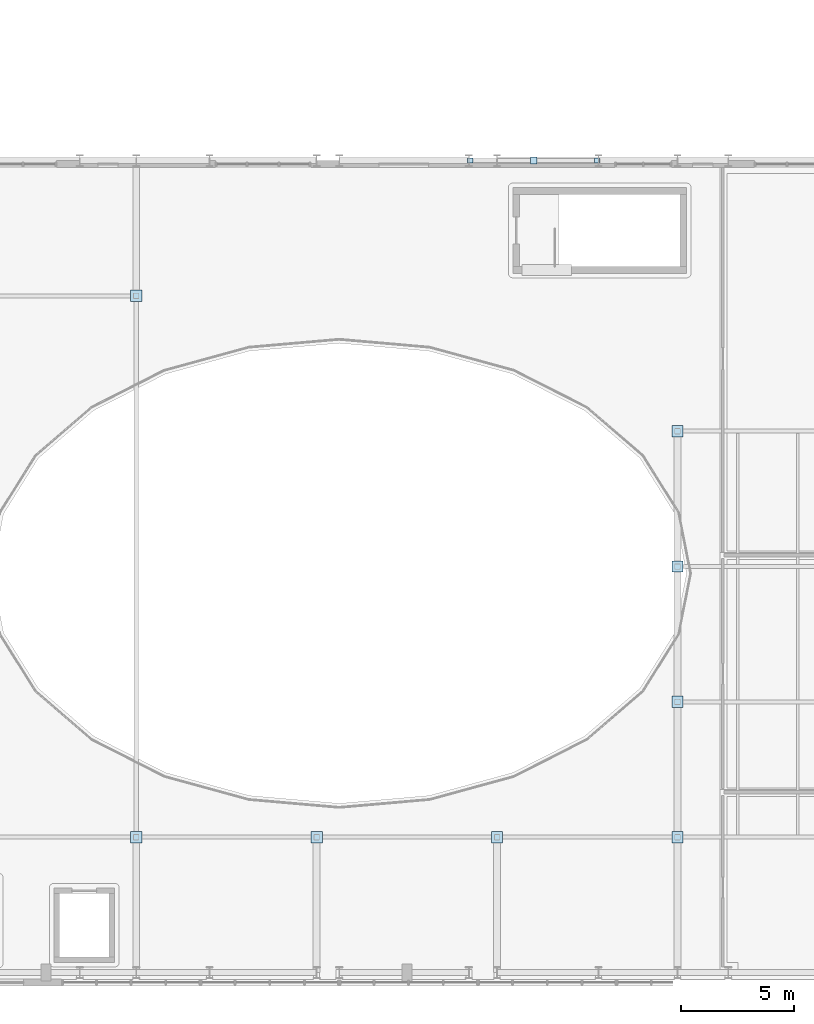
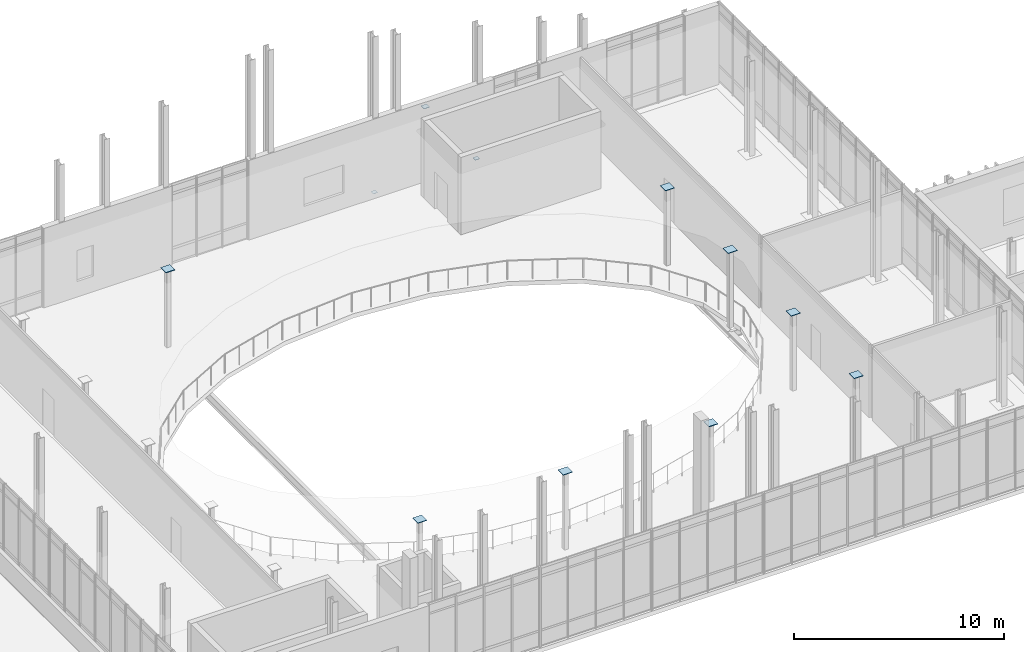
# One storey, part 56 of 86: 11 plates.
"""IFC4 building model written with IfcOpenShell, lengths in metres."""

from ifc_helpers import new_model, si_unit, direction, frame, origin, origin_2d, place, context, subcontext, project, spatial, rectangle, extrude, material, layer, layer_set, type_object, element, save


model = new_model("IFC4")

# Units and contexts
model_context = context("Model", 3, precision=1e-05, world=origin(), true_north=direction((0.0, 1.0)))
body_context = subcontext(model_context, "Body", "Model", "MODEL_VIEW")
ifc_project = project(units=[si_unit("LENGTHUNIT", "METRE"), si_unit("AREAUNIT", "SQUARE_METRE"), si_unit("VOLUMEUNIT", "CUBIC_METRE"), si_unit("PLANEANGLEUNIT", "RADIAN"), si_unit("MASSUNIT", "GRAM", prefix="KILO")], contexts=[model_context])

# Site, building, storey
site_placement = place(None, origin())
site = spatial("IfcSite", under=ifc_project, at=site_placement, CompositionType="ELEMENT")
building_placement = place(site_placement, origin())
building = spatial("IfcBuilding", under=site, at=building_placement, Name="Cymarion Research Institute", CompositionType="ELEMENT")
storey_placement = place(building_placement, frame((0.0, 0.0, 13.800048828125)))
storey = spatial("IfcBuildingStorey", under=building, at=storey_placement, Name="L03", CompositionType="ELEMENT", Elevation=13.800048828125)

# Plates
ifc_material = material(Name="Steel S355", Category="steel")
ifc_layer_1 = layer(ifc_material, 0.01806640625)
ifc_layer_set_1 = layer_set([ifc_layer_1], Name="Steel S355")
plate_type_1 = type_object("IfcPlateType", Name="STEEL NODE GUSSET PLATE CP01 18MM", PredefinedType="USERDEFINED", material=ifc_layer_set_1)
plate_placement = place(storey_placement, frame((88.22509765625, 41.5, 4.100830078125), z_axis=(0.0, 0.0, 1.0), x_axis=(1.0, 0.0, 0.0)))
element("IfcPlate", 1, at=plate_placement, inside=storey, type_object=plate_type_1, Name="L03 V2 chevron apex gusset plate", ObjectType="GUSSET PLATE", PredefinedType="USERDEFINED", context=body_context, shape_type="SweptSolid", body=[
    extrude(rectangle(XDim=0.300048828125, YDim=0.300048828125, at=origin_2d()), origin(), (0.0, 0.0, 1.0), 0.01806640625),
])
ifc_layer_2 = layer(ifc_material, 0.011962890625)
ifc_layer_set_2 = layer_set([ifc_layer_2], Name="Steel S355")
plate_type_2 = type_object("IfcPlateType", Name="STEEL NODE GUSSET PLATE CP02 12MM", PredefinedType="USERDEFINED", material=ifc_layer_set_2)
for number, where, z_axis, x_axis, name in (
    (2, (85.420166015625, 41.5, 0.11376953125), (0.0, 0.0, 1.0), (1.0, 0.0, 0.0), "L03 V2 chevron base gusset plate #1"),
    (3, (91.02978515625, 41.5, 0.11376953125), (0.0, 0.0, 1.0), (1.0, 0.0, 0.0), "L03 V2 chevron base gusset plate #2"),
):
    element("IfcPlate", number, at=place(storey_placement, frame(where, z_axis=z_axis, x_axis=x_axis)), inside=storey, type_object=plate_type_2, Name=name, ObjectType="GUSSET PLATE", PredefinedType="USERDEFINED", context=body_context, shape_type="SweptSolid", body=[
        extrude(rectangle(XDim=0.239990234375, YDim=0.239990234375, at=origin_2d()), origin(), (0.0, 0.0, 1.0), 0.011962890625),
    ])
ifc_layer_3 = layer(ifc_material, 0.030029296875)
ifc_layer_set_3 = layer_set([ifc_layer_3], Name="Steel S355")
plate_type_3 = type_object("IfcPlateType", Name="STEEL NODE GUSSET PLATE NP02 30MM", PredefinedType="USERDEFINED", material=ifc_layer_set_3)
for number, where, z_axis, x_axis, name in (
    (4, (70.60009765625, 11.5, 4.4697265625), (0.0, 0.0, 1.0), (1.0, 0.0, 0.0), "L03 V2 hollow column end cap plate NP02 #942"),
    (5, (70.60009765625, 35.5, 4.4697265625), (0.0, 0.0, 1.0), (1.0, 0.0, 0.0), "L03 V2 hollow column end cap plate NP02 #943"),
    (6, (78.60009765625, 11.5, 4.4697265625), (0.0, 0.0, 1.0), (1.0, 0.0, 0.0), "L03 V2 hollow column end cap plate NP02 #948"),
    (7, (86.60009765625, 11.5, 4.4697265625), (0.0, 0.0, 1.0), (1.0, 0.0, 0.0), "L03 V2 hollow column end cap plate NP02 #956"),
    (8, (94.60009765625, 11.5, 4.4697265625), (0.0, 0.0, 1.0), (1.0, 0.0, 0.0), "L03 V2 hollow column end cap plate NP02 #961"),
    (9, (94.60009765625, 17.5, 4.4697265625), (0.0, 0.0, 1.0), (1.0, 0.0, 0.0), "L03 V2 hollow column end cap plate NP02 #962"),
    (10, (94.60009765625, 23.5, 4.4697265625), (0.0, 0.0, 1.0), (1.0, 0.0, 0.0), "L03 V2 hollow column end cap plate NP02 #963"),
    (11, (94.60009765625, 29.5, 4.4697265625), (0.0, 0.0, 1.0), (1.0, 0.0, 0.0), "L03 V2 hollow column end cap plate NP02 #964"),
):
    element("IfcPlate", number, at=place(storey_placement, frame(where, z_axis=z_axis, x_axis=x_axis)), inside=storey, type_object=plate_type_3, Name=name, ObjectType="GUSSET PLATE", PredefinedType="USERDEFINED", context=body_context, shape_type="SweptSolid", body=[
        extrude(rectangle(XDim=0.5, YDim=0.5, at=origin_2d()), origin(), (0.0, 0.0, 1.0), 0.030029296875),
    ])

save(model, "model.ifc")
